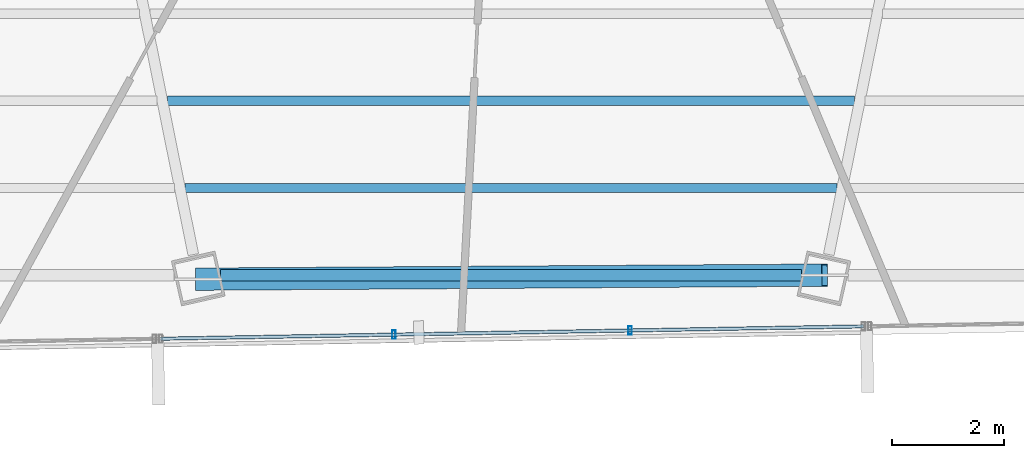
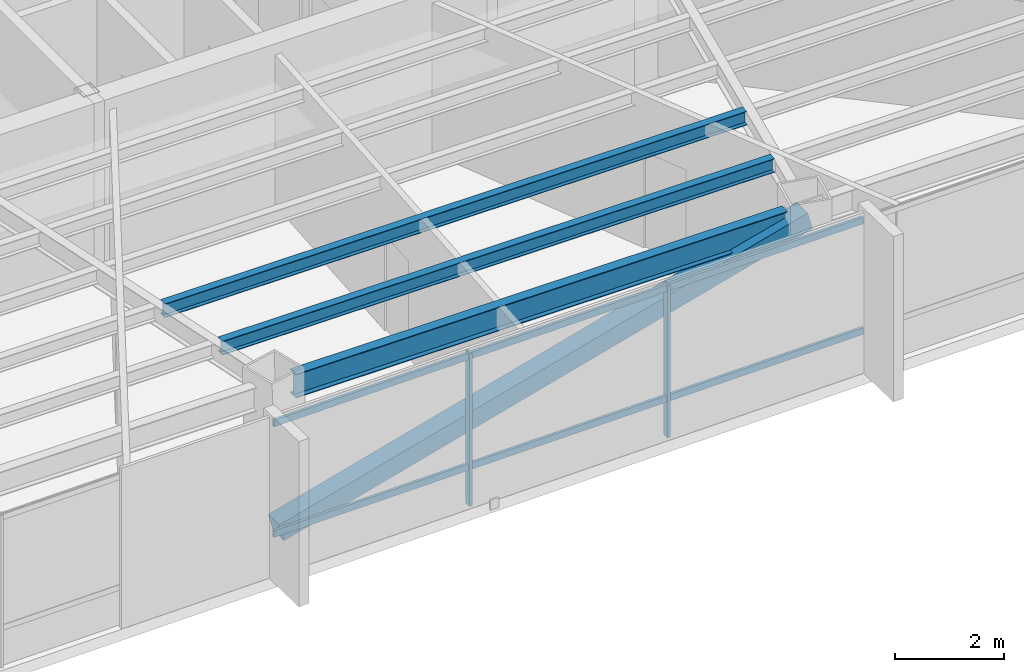
# One storey, part 11 of 42: 5 members, 3 beams, 1 element without a shape of its own.
"""IFC4 building model written with IfcOpenShell, lengths in metres."""

import ifcopenshell
import ifcopenshell.guid

model = None  # the IFC model being written
_history = None  # IfcOwnerHistory: only IFC2X3 demands one
_inside = {}  # id of a spatial element -> (the spatial element, [elements in it])
_under = {}  # id of a project, library or spatial element -> (it, [spatial elements below it])
_declared = {}  # id of a project -> (the project, [libraries it declares])
_typed = {}  # id of a type object -> (the type object, [elements of that type])
_made_of = {}  # id of a material, layer set ... -> (it, [elements and type objects made of it])


def new_model(schema):
    """Start an empty IFC model of exactly this schema.

    Asked for "IFC4X3", IfcOpenShell would pick the latest addendum, in which some entities
    have other attributes; the version numbers below select the first issue.
    IFC2X3 requires an IfcOwnerHistory on every rooted entity: one is made here for all.
    """
    global model, _history
    if schema == "IFC4X3":
        model = ifcopenshell.file(schema_version=(4, 3, 0, 0))
    else:
        model = ifcopenshell.file(schema=schema)
    _inside.clear()
    _under.clear()
    _declared.clear()
    _typed.clear()
    _made_of.clear()
    _history = None
    if model.schema == "IFC2X3":
        org = make("IfcOrganization", Name="unknown")
        user = make(
            "IfcPersonAndOrganization",
            ThePerson=make("IfcPerson", FamilyName="unknown"),
            TheOrganization=org,
        )
        app = make(
            "IfcApplication",
            ApplicationDeveloper=org,
            Version="unknown",
            ApplicationFullName="unknown",
            ApplicationIdentifier="unknown",
        )
        _history = make(
            "IfcOwnerHistory",
            OwningUser=user,
            OwningApplication=app,
            ChangeAction="ADDED",
            CreationDate=0,
        )
    return model


def make(cls, **values):
    """One entity of the class cls with the attributes given. An attribute that is None is left unset."""
    return model.create_entity(
        cls, **{name: value for name, value in values.items() if value is not None}
    )


def rooted(cls, **values):
    """An entity with a GlobalId (a new one), such as an element, a storey or a relation."""
    return make(cls, GlobalId=ifcopenshell.guid.new(), OwnerHistory=_history, **values)


def si_unit(unit_type, name, prefix=None):
    """IfcSIUnit, for example si_unit("LENGTHUNIT", "METRE", prefix="MILLI")."""
    return make("IfcSIUnit", UnitType=unit_type, Prefix=prefix, Name=name)


def assignment(units):
    """IfcUnitAssignment: the units of a project."""
    return None if units is None else make("IfcUnitAssignment", Units=units)


def point(xyz):
    """IfcCartesianPoint."""
    return None if xyz is None else make("IfcCartesianPoint", Coordinates=xyz)


def direction(xyz):
    """IfcDirection."""
    return None if xyz is None else make("IfcDirection", DirectionRatios=xyz)


def frame(location, z_axis=None, x_axis=None):
    """IfcAxis2Placement3D, a coordinate frame: its origin and axes. An axis left out is left unset."""
    return make(
        "IfcAxis2Placement3D",
        Location=point(location),
        Axis=direction(z_axis),
        RefDirection=direction(x_axis),
    )


def frame_2d(location, x_axis=None):
    """IfcAxis2Placement2D, a coordinate frame in the plane: its origin and x axis."""
    return make(
        "IfcAxis2Placement2D", Location=point(location), RefDirection=direction(x_axis)
    )


def origin():
    """The frame at (0, 0, 0) with its axes left unset."""
    return frame((0.0, 0.0, 0.0))


def origin_2d():
    """The frame at (0, 0) in the plane with its x axis left unset."""
    return frame_2d((0.0, 0.0))


def place(relative_to, where):
    """IfcLocalPlacement: puts the frame where relative to a parent placement (None: the world)."""
    return make(
        "IfcLocalPlacement", PlacementRelTo=relative_to, RelativePlacement=where
    )


def context(
    kind, dimensions, precision=None, world=None, true_north=None, identifier=None
):
    """IfcGeometricRepresentationContext, for example the 3D "Model" context."""
    return make(
        "IfcGeometricRepresentationContext",
        ContextIdentifier=identifier,
        ContextType=kind,
        CoordinateSpaceDimension=dimensions,
        Precision=precision,
        WorldCoordinateSystem=world,
        TrueNorth=true_north,
    )


def subcontext(parent, identifier, kind, view, scale=None):
    """IfcGeometricRepresentationSubContext, for example "Body" below "Model"."""
    return make(
        "IfcGeometricRepresentationSubContext",
        ContextIdentifier=identifier,
        ContextType=kind,
        ParentContext=parent,
        TargetScale=scale,
        TargetView=view,
    )


def project(units=None, contexts=None):
    """IfcProject with its units and contexts."""
    return rooted(
        "IfcProject",
        Name="project",
        RepresentationContexts=contexts,
        UnitsInContext=assignment(units),
    )


def spatial(cls, under=None, at=None, **own):
    """A site, building, storey or space (cls), placed at a placement, below another one or the project."""
    s = rooted(cls, ObjectPlacement=at, **own)
    if under is not None:
        _under.setdefault(under.id(), (under, []))[1].append(s)
    return s


def profile(cls, at=None, kind="AREA", **sizes):
    """A parametric profile (cls). Its sizes go by their IFC names, for example OverallWidth=200.0."""
    return make(cls, ProfileType=kind, Position=at, **sizes)


def hollow_rectangle(**sizes):
    """IfcRectangleHollowProfileDef."""
    return profile("IfcRectangleHollowProfileDef", **sizes)


def i_section(**sizes):
    """IfcIShapeProfileDef."""
    return profile("IfcIShapeProfileDef", **sizes)


def extrude(swept, where, along, depth):
    """IfcExtrudedAreaSolid: the profile swept, set in the frame where, extruded along a direction by depth."""
    return make(
        "IfcExtrudedAreaSolid",
        SweptArea=swept,
        Position=where,
        ExtrudedDirection=direction(along),
        Depth=depth,
    )


def shape(context_of_items, identifier, shape_type, items):
    """IfcShapeRepresentation: the items that make up one representation, for example the "Body"."""
    return make(
        "IfcShapeRepresentation",
        ContextOfItems=context_of_items,
        RepresentationIdentifier=identifier,
        RepresentationType=shape_type,
        Items=items,
    )


def source(mapping_origin, context_of_items, identifier, shape_type, items):
    """IfcRepresentationMap: a shape defined once, which mapped items show again and again."""
    return make(
        "IfcRepresentationMap",
        MappingOrigin=mapping_origin,
        MappedRepresentation=shape(context_of_items, identifier, shape_type, items),
    )


def transform(
    local_origin,
    x_axis=None,
    y_axis=None,
    z_axis=None,
    scale=None,
    scale2=None,
    scale3=None,
    uniform=True,
):
    """IfcCartesianTransformationOperator3D, or its non-uniform kind. x_axis, y_axis, z_axis: its Axis1, 2, 3."""
    if uniform:
        return make(
            "IfcCartesianTransformationOperator3D",
            Axis1=direction(x_axis),
            Axis2=direction(y_axis),
            LocalOrigin=point(local_origin),
            Scale=scale,
            Axis3=direction(z_axis),
        )
    return make(
        "IfcCartesianTransformationOperator3DnonUniform",
        Axis1=direction(x_axis),
        Axis2=direction(y_axis),
        LocalOrigin=point(local_origin),
        Scale=scale,
        Axis3=direction(z_axis),
        Scale2=scale2,
        Scale3=scale3,
    )


def mapped(mapping_source, mapping_target):
    """IfcMappedItem: shows the shape of a source again, moved by a transform."""
    return make(
        "IfcMappedItem", MappingSource=mapping_source, MappingTarget=mapping_target
    )


def material(Name=None, Category=None):
    """IfcMaterial."""
    return make("IfcMaterial", Name=Name, Category=Category)


def material_profile(
    of_material, cross_section, Name=None, Category=None, Priority=None
):
    """IfcMaterialProfile: a cross section and its material."""
    return make(
        "IfcMaterialProfile",
        Name=Name,
        Material=of_material,
        Profile=cross_section,
        Priority=Priority,
        Category=Category,
    )


def profile_set(profiles, Name=None, composite=None):
    """IfcMaterialProfileSet."""
    return make(
        "IfcMaterialProfileSet",
        Name=Name,
        MaterialProfiles=profiles,
        CompositeProfile=composite,
    )


def made_of(thing, what):
    """Note that an element or type object is made of a material, layer set ...; save() writes the relation."""
    if what is not None:
        _made_of.setdefault(what.id(), (what, []))[1].append(thing)
    return thing


def type_object(cls, material=None, **own):
    """A type object (cls), such as IfcWallType, which elements share."""
    return made_of(rooted(cls, **own), material)


def type_shapes(of_type, sources):
    """Give a type object the sources (RepresentationMaps) that its elements show as mapped items."""
    of_type.RepresentationMaps = sources


def element(
    cls,
    number,
    at=None,
    inside=None,
    cuts=None,
    type_object=None,
    material=None,
    context=None,
    identifier="Body",
    shape_type=None,
    held_by="IfcProductDefinitionShape",
    body=None,
    shapes=None,
    **own,
):
    """One element of the class cls, such as IfcWall. Its Tag is "e" and its number.

    at: its placement. inside: the storey or other place that contains it. cuts: it is an
    opening in that element (IfcRelVoidsElement). A single representation is given by context,
    identifier, shape_type and body (its items); several are given by shapes. held_by: the class
    of the entity that holds the representations. save() writes the other relations.
    """
    e = rooted(cls, Tag="e%d" % number, ObjectPlacement=at, **own)
    if body is not None:
        shapes = [shape(context, identifier, shape_type, body)]
    if shapes is not None:
        e.Representation = make(held_by, Representations=shapes)
    if inside is not None:
        _inside.setdefault(inside.id(), (inside, []))[1].append(e)
    if cuts is not None:
        rooted(
            "IfcRelVoidsElement", RelatingBuildingElement=cuts, RelatedOpeningElement=e
        )
    if type_object is not None:
        _typed.setdefault(type_object.id(), (type_object, []))[1].append(e)
    return made_of(e, material)


def aggregate(whole, parts):
    """IfcRelAggregates: a whole, such as a stair, and the parts it consists of."""
    return rooted("IfcRelAggregates", RelatingObject=whole, RelatedObjects=parts)


def save(model, path):
    """Write the relations noted so far, then the file.

    IfcRelAggregates (storeys below a building ...), IfcRelContainedInSpatialStructure (elements
    in a storey), IfcRelDefinesByType, IfcRelAssociatesMaterial and IfcRelDeclares: one each for
    every whole, place, type object, material and project.
    """
    for whole, parts in _under.values():
        aggregate(whole, parts)
    for where, things in _inside.values():
        rooted(
            "IfcRelContainedInSpatialStructure",
            RelatedElements=things,
            RelatingStructure=where,
        )
    for kind, things in _typed.values():
        rooted("IfcRelDefinesByType", RelatedObjects=things, RelatingType=kind)
    for what, things in _made_of.values():
        rooted("IfcRelAssociatesMaterial", RelatedObjects=things, RelatingMaterial=what)
    for by, libraries in _declared.values():
        rooted("IfcRelDeclares", RelatingContext=by, RelatedDefinitions=libraries)
    model.write(path)


model = new_model("IFC4")

# Units and contexts
model_context = context("Model", 3, precision=1e-05, world=origin(), true_north=direction((0.0, 1.0)))
body_context = subcontext(model_context, "Body", "Model", "MODEL_VIEW")
ifc_project = project(units=[si_unit("LENGTHUNIT", "METRE"), si_unit("AREAUNIT", "SQUARE_METRE"), si_unit("VOLUMEUNIT", "CUBIC_METRE"), si_unit("PLANEANGLEUNIT", "RADIAN"), si_unit("MASSUNIT", "GRAM", prefix="KILO")], contexts=[model_context])

# Site, building, storey
site_placement = place(None, origin())
site = spatial("IfcSite", under=ifc_project, at=site_placement, CompositionType="ELEMENT")
building_placement = place(site_placement, origin())
building = spatial("IfcBuilding", under=site, at=building_placement, Name="Caelisora Broadcast Tower", CompositionType="ELEMENT")
storey_placement = place(building_placement, frame((0.0, 0.0, 187.699951171875)))
storey = spatial("IfcBuildingStorey", under=building, at=storey_placement, Name="L49", CompositionType="ELEMENT", Elevation=187.699951171875)

# Beams
ifc_material_1 = material(Name="Steel Grade 350 (AS/NZS 3679.1)", Category="steel")
ifc_material_profile_1 = material_profile(ifc_material_1, i_section(OverallWidth=0.208984375, OverallDepth=0.532958984375, WebThickness=0.01025390625, FlangeThickness=0.015625, at=origin_2d()), Name="Steel Grade 350 (AS/NZS 3679.1)")
ifc_profile_set_1 = profile_set([ifc_material_profile_1], Name="Steel Grade 350 (AS/NZS 3679.1)")
beam_type_1 = type_object("IfcBeamType", Name="PG05", PredefinedType="BEAM", material=ifc_profile_set_1)
shared_shape_1 = source(origin(), body_context, "Body", "SweptSolid", [
    extrude(i_section(OverallWidth=0.208984375, OverallDepth=0.532958984375, WebThickness=0.01025390625, FlangeThickness=0.015625, at=origin_2d()), origin(), (0.0, 0.0, 1.0), 10.39306640625),
])
type_shapes(beam_type_1, [shared_shape_1])
beam_1_placement = place(storey_placement, frame((32.803466796875, 8.04345703125, 3.133544921875), z_axis=(1.0, 0.0, 0.0), x_axis=(0.0, 1.0, 0.0)))
element("IfcBeam", 1, at=beam_1_placement, inside=storey, type_object=beam_type_1, Name="L49 beam PG05", PredefinedType="BEAM", context=body_context, shape_type="MappedRepresentation", body=[
    mapped(shared_shape_1, transform((0.0, 0.0, 0.0), scale=1.0)),
])
ifc_material_profile_2 = material_profile(ifc_material_1, i_section(OverallWidth=0.166015625, OverallDepth=0.30712890625, WebThickness=0.006591796875, FlangeThickness=0.01171875, at=origin_2d()), Name="Steel Grade 350 (AS/NZS 3679.1)")
ifc_profile_set_2 = profile_set([ifc_material_profile_2], Name="Steel Grade 350 (AS/NZS 3679.1)")
beam_type_2 = type_object("IfcBeamType", Name="SB03", PredefinedType="JOIST", material=ifc_profile_set_2)
shared_shape_2 = source(origin(), body_context, "Body", "SweptSolid", [
    extrude(i_section(OverallWidth=0.166015625, OverallDepth=0.30712890625, WebThickness=0.006591796875, FlangeThickness=0.01171875, at=origin_2d()), origin(), (0.0, 0.0, 1.0), 12.29443359375),
])
beam_2_placement = place(storey_placement, frame((31.852783203125, 11.162353515625, 3.246337890625), z_axis=(1.0, 0.0, 0.0), x_axis=(0.0, 1.0, 0.0)))
element("IfcBeam", 2, at=beam_2_placement, inside=storey, type_object=beam_type_2, Name="L49 beam SB03", PredefinedType="JOIST", context=body_context, shape_type="MappedRepresentation", body=[
    mapped(shared_shape_2, transform((0.0, 0.0, 0.0), scale=1.0)),
])
shared_shape_3 = source(origin(), body_context, "Body", "SweptSolid", [
    extrude(i_section(OverallWidth=0.166015625, OverallDepth=0.30712890625, WebThickness=0.006591796875, FlangeThickness=0.01171875, at=origin_2d()), origin(), (0.0, 0.0, 1.0), 11.66552734375),
])
type_shapes(beam_type_2, [shared_shape_2, shared_shape_3])
beam_3_placement = place(storey_placement, frame((32.167236328125, 9.602783203125, 3.246337890625), z_axis=(1.0, 0.0, 0.0), x_axis=(0.0, 1.0, 0.0)))
element("IfcBeam", 3, at=beam_3_placement, inside=storey, type_object=beam_type_2, Name="L49 beam SB03", PredefinedType="JOIST", context=body_context, shape_type="MappedRepresentation", body=[
    mapped(shared_shape_3, transform((0.0, 0.0, 0.0), scale=1.0)),
])

# Member
ifc_material_2 = material(Name="Steel Grade 450 (AS/NZS 1163 C450L0)", Category="steel")
ifc_material_profile_3 = material_profile(ifc_material_2, hollow_rectangle(XDim=0.39990234375, YDim=0.39990234375, WallThickness=0.01611328125, at=origin_2d()), Name="Steel Grade 450 (AS/NZS 1163 C450L0)")
ifc_profile_set_3 = profile_set([ifc_material_profile_3], Name="Steel Grade 450 (AS/NZS 1163 C450L0)")
member_type_1 = type_object("IfcMemberType", Name="BR04", PredefinedType="BRACE", material=ifc_profile_set_3)
shared_shape_4 = source(origin(), body_context, "Body", "SweptSolid", [
    extrude(hollow_rectangle(XDim=0.39990234375, YDim=0.39990234375, WallThickness=0.01611328125, at=origin_2d()), origin(), (0.0, 0.0, 1.0), 11.603515625),
])
type_shapes(member_type_1, [shared_shape_4])
member_1_placement = place(storey_placement, frame((32.40380859375, 7.97119140625, 0.10009765625), z_axis=(0.965979725151, 0.006227919206, 0.258542808099), x_axis=(-0.006447122656, 0.999979217089, 0.0)))
element("IfcMember", 4, at=member_1_placement, inside=storey, type_object=member_type_1, Name="L49 perimeter brace BR04", PredefinedType="BRACE", context=body_context, shape_type="MappedRepresentation", body=[
    mapped(shared_shape_4, transform((0.0, 0.0, 0.0), scale=1.0)),
])

# Curtain wall, members
ifc_material_3 = material(Name="Unitised Aluminium Insulated Shadow-Box Spandrel Curtain Wall", Category="aluminium")
curtain_wall_type = type_object("IfcCurtainWallType", Name="CW-SP2", PredefinedType="NOTDEFINED", material=ifc_material_3)
curtain_wall_placement = place(storey_placement, origin())
curtain_wall = element("IfcCurtainWall", 5, at=curtain_wall_placement, inside=storey, type_object=curtain_wall_type, Name="L49 curtain wall CW-SP2", PredefinedType="NOTDEFINED")
ifc_material_4 = material(Name="Aluminium 6063-T6 Anodised Terracotta Bronze", Category="aluminium")
ifc_material_profile_4 = material_profile(ifc_material_4, hollow_rectangle(XDim=0.06005859375, YDim=0.14990234375, WallThickness=0.00341796875, at=origin_2d()), Name="Aluminium 6063-T6 Anodised Terracotta Bronze")
ifc_profile_set_4 = profile_set([ifc_material_profile_4], Name="Aluminium 6063-T6 Anodised Terracotta Bronze")
member_type_2 = type_object("IfcMemberType", Name="CWM-03", PredefinedType="MULLION", material=ifc_profile_set_4)
shared_shape_5 = source(origin(), body_context, "Body", "SweptSolid", [
    extrude(hollow_rectangle(XDim=0.06005859375, YDim=0.14990234375, WallThickness=0.00341796875, at=origin_2d()), origin(), (0.0, 0.0, 1.0), 3.400146484375),
])
type_shapes(member_type_2, [shared_shape_5])
member_2_placement = place(storey_placement, frame((40.1298828125, 7.052978515625, 0.0), z_axis=(0.0, 0.0, 1.0), x_axis=(1.0, 0.0, 0.0)))
member_2 = element("IfcMember", 6, at=member_2_placement, type_object=member_type_2, Name="L49-CW-B06 mullion #1", PredefinedType="MULLION", context=body_context, shape_type="MappedRepresentation", body=[
    mapped(shared_shape_5, transform((0.0, 0.0, 0.0), scale=1.0)),
])
member_3_placement = place(storey_placement, frame((35.90380859375, 6.978515625, 0.0), z_axis=(0.0, 0.0, 1.0), x_axis=(1.0, 0.0, 0.0)))
member_3 = element("IfcMember", 7, at=member_3_placement, type_object=member_type_2, Name="L49-CW-B06 mullion #2", PredefinedType="MULLION", context=body_context, shape_type="MappedRepresentation", body=[
    mapped(shared_shape_5, transform((0.0, 0.0, 0.0), scale=1.0)),
])
ifc_material_profile_5 = material_profile(ifc_material_4, hollow_rectangle(XDim=0.06005859375, YDim=0.14990234375, WallThickness=0.00341796875, at=origin_2d()), Name="Aluminium 6063-T6 Anodised Terracotta Bronze")
ifc_profile_set_5 = profile_set([ifc_material_profile_5], Name="Aluminium 6063-T6 Anodised Terracotta Bronze")
member_type_3 = type_object("IfcMemberType", Name="CWT-02", PredefinedType="USERDEFINED", material=ifc_profile_set_5)
shared_shape_6 = source(origin(), body_context, "Body", "SweptSolid", [
    extrude(hollow_rectangle(XDim=0.06005859375, YDim=0.14990234375, WallThickness=0.00341796875, at=origin_2d()), origin(), (0.0, 0.0, 1.0), 12.580810546875),
])
type_shapes(member_type_3, [shared_shape_6])
member_4_placement = place(storey_placement, frame((44.30615234375, 7.12646484375, 0.85009765625), z_axis=(-0.999845430639, -0.017581661785, 0.0), x_axis=(0.017581661785, -0.999845430639, 0.0)))
member_4 = element("IfcMember", 8, at=member_4_placement, type_object=member_type_3, Name="L49-CW-B06 transom #1", ObjectType="TRANSOM", PredefinedType="USERDEFINED", context=body_context, shape_type="MappedRepresentation", body=[
    mapped(shared_shape_6, transform((0.0, 0.0, 0.0), scale=1.0)),
])
member_5_placement = place(storey_placement, frame((44.30615234375, 7.12646484375, 3.320068359375), z_axis=(-0.999845430639, -0.017581661785, 0.0), x_axis=(0.017581661785, -0.999845430639, 0.0)))
member_5 = element("IfcMember", 9, at=member_5_placement, type_object=member_type_3, Name="L49-CW-B06 transom #2", ObjectType="TRANSOM", PredefinedType="USERDEFINED", context=body_context, shape_type="MappedRepresentation", body=[
    mapped(shared_shape_6, transform((0.0, 0.0, 0.0), scale=1.0)),
])
aggregate(curtain_wall, [member_2, member_3, member_4, member_5])

save(model, "model.ifc")
